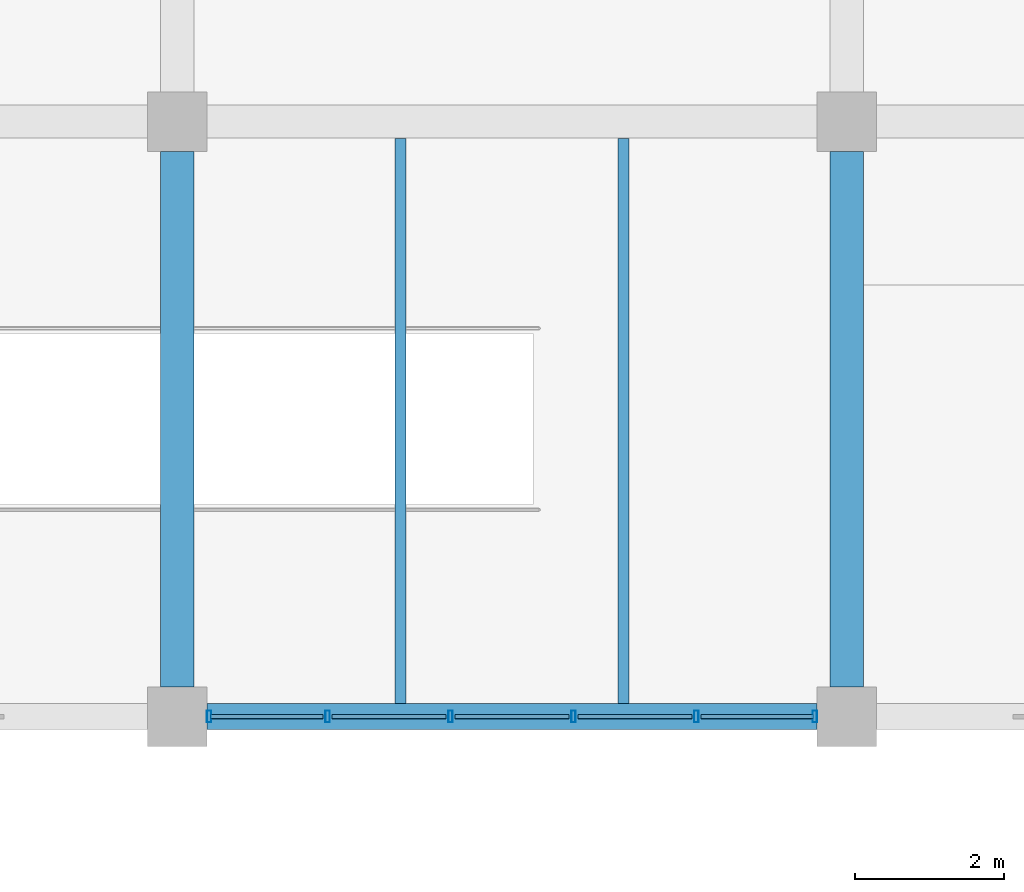
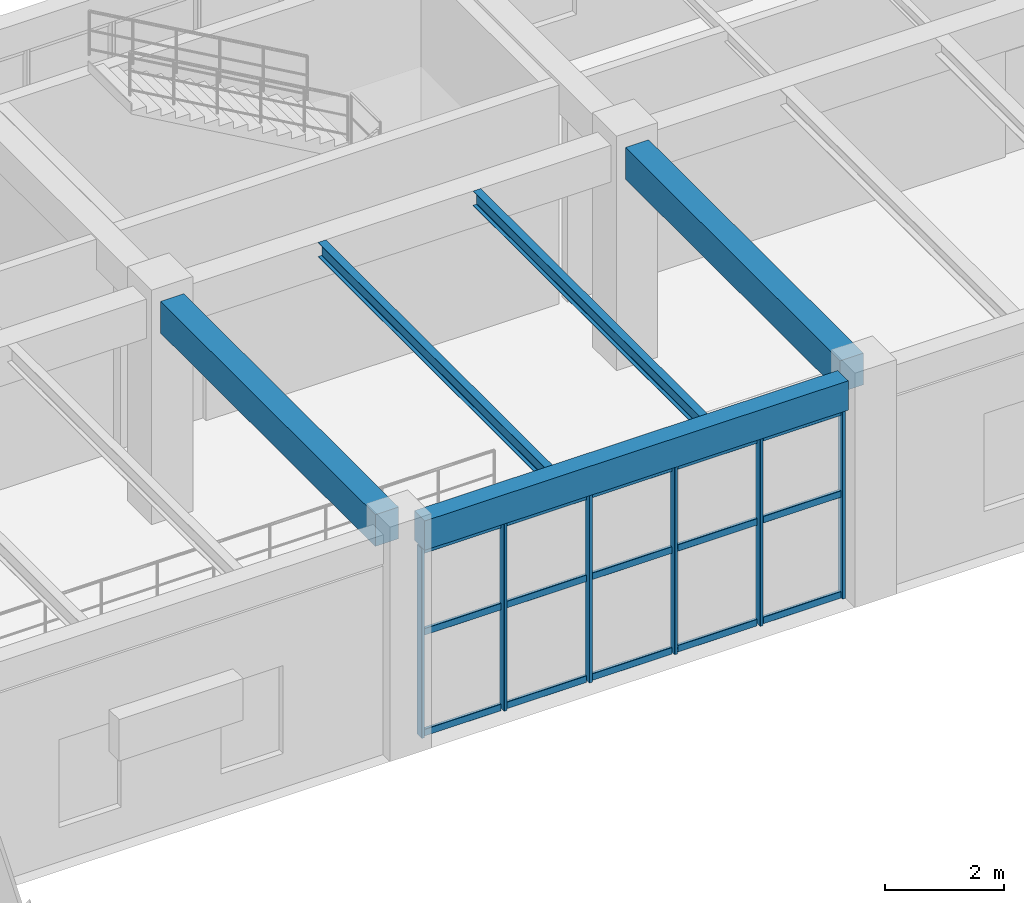
# One storey, part 104 of 178: 21 members, 5 beams, 1 element without a shape of its own.
"""IFC4 building model written with IfcOpenShell, lengths in metres."""

from ifc_helpers import new_model, si_unit, derived_unit, direction, frame, origin, origin_2d, place, context, subcontext, project, spatial, rectangle, hollow_rectangle, i_section, extrude, material, material_profile, profile_set, type_object, element, aggregate, save


model = new_model("IFC4")

# Units and contexts
model_context = context("Model", 3, precision=1e-05, world=origin(), true_north=direction((0.0, 1.0)))
body_context = subcontext(model_context, "Body", "Model", "MODEL_VIEW")
ifc_project = project(units=[si_unit("LENGTHUNIT", "METRE"), si_unit("AREAUNIT", "SQUARE_METRE"), si_unit("VOLUMEUNIT", "CUBIC_METRE"), si_unit("PLANEANGLEUNIT", "RADIAN"), si_unit("MASSUNIT", "GRAM", prefix="KILO"), derived_unit("THERMALTRANSMITTANCEUNIT", [(si_unit("MASSUNIT", "GRAM", prefix="KILO"), 1), (si_unit("TIMEUNIT", "SECOND"), -3), (si_unit("THERMODYNAMICTEMPERATUREUNIT", "KELVIN"), -1)])], contexts=[model_context])

# Site, building, storey
site_placement = place(None, origin())
site = spatial("IfcSite", under=ifc_project, at=site_placement, CompositionType="ELEMENT")
building_placement = place(site_placement, origin())
building = spatial("IfcBuilding", under=site, at=building_placement, Name="Zhenchuan Archway Interchange", CompositionType="ELEMENT")
storey_placement = place(building_placement, frame((0.0, 0.0, 5.39990234375)))
storey = spatial("IfcBuildingStorey", under=building, at=storey_placement, Name="L01", CompositionType="ELEMENT", Elevation=5.39990234375)

# Beams
ifc_material_1 = material(Name="Concrete C40", Category="concrete")
ifc_material_profile_1 = material_profile(ifc_material_1, rectangle(XDim=0.449951171875, YDim=0.64990234375, at=origin_2d()), Name="RC 450x650")
ifc_profile_set_1 = profile_set([ifc_material_profile_1], Name="Concrete C40")
beam_type_1 = type_object("IfcBeamType", Name="BM_RC_450x650", PredefinedType="BEAM", material=ifc_profile_set_1)
for number, where, z_axis, x_axis, name in (
    (1, (117.0, 88.39990234375, 4.18505859375), (0.0, 1.0, 0.0), (-1.0, 0.0, 0.0), "Beam 14:M-N (L01)"),
    (2, (126.0, 88.39990234375, 4.18505859375), (0.0, 1.0, 0.0), (-1.0, 0.0, 0.0), "Beam 15:M-N (L01)"),
):
    element("IfcBeam", number, at=place(storey_placement, frame(where, z_axis=z_axis, x_axis=x_axis)), inside=storey, type_object=beam_type_1, Name=name, PredefinedType="BEAM", context=body_context, shape_type="SweptSolid", body=[
        extrude(rectangle(XDim=0.449951171875, YDim=0.64990234375, at=origin_2d()), origin(), (0.0, 0.0, 1.0), 7.2001953125),
    ])

# Curtain wall, members
ifc_material_2 = material(Name="Anodised Aluminium", Category="aluminium")
curtain_wall_type = type_object("IfcCurtainWallType", Name="CW_UNIT_2", PredefinedType="NOTDEFINED", material=ifc_material_2)
curtain_wall_placement = place(storey_placement, origin())
curtain_wall = element("IfcCurtainWall", 3, at=curtain_wall_placement, inside=storey, type_object=curtain_wall_type, Name="Unitised curtain wall CW:L01:097", PredefinedType="NOTDEFINED")
ifc_material_profile_2 = material_profile(ifc_material_2, hollow_rectangle(XDim=0.06005859375, YDim=0.159912109375, WallThickness=0.00390625, InnerFilletRadius=0.00390625, OuterFilletRadius=0.008056640625, at=origin_2d()), Name="ALU 160x60x4")
ifc_profile_set_2 = profile_set([ifc_material_profile_2], Name="Anodised Aluminium")
member_type_1 = type_object("IfcMemberType", Name="CW_MUL_150", PredefinedType="MULLION", material=ifc_profile_set_2)
member_1_placement = place(storey_placement, frame((125.572021484375, 88.0, 0.0), z_axis=(0.0, 0.0, 1.0), x_axis=(1.0, 0.0, 0.0)))
member_1 = element("IfcMember", 4, at=member_1_placement, type_object=member_type_1, Name="CW:L01:097 mullion 0", PredefinedType="MULLION", context=body_context, shape_type="SweptSolid", body=[
    extrude(hollow_rectangle(XDim=0.06005859375, YDim=0.159912109375, WallThickness=0.00390625, InnerFilletRadius=0.00390625, OuterFilletRadius=0.008056640625, at=origin_2d()), origin(), (0.0, 0.0, 1.0), 3.880126953125),
])
member_2_placement = place(storey_placement, frame((123.979248046875, 88.0, 0.0), z_axis=(0.0, 0.0, 1.0), x_axis=(1.0, 0.0, 0.0)))
member_2 = element("IfcMember", 5, at=member_2_placement, type_object=member_type_1, Name="CW:L01:097 mullion 1", PredefinedType="MULLION", context=body_context, shape_type="SweptSolid", body=[
    extrude(hollow_rectangle(XDim=0.06005859375, YDim=0.159912109375, WallThickness=0.00390625, InnerFilletRadius=0.00390625, OuterFilletRadius=0.008056640625, at=origin_2d()), origin(), (0.0, 0.0, 1.0), 3.880126953125),
])
member_3_placement = place(storey_placement, frame((122.326416015625, 88.0, 0.0), z_axis=(0.0, 0.0, 1.0), x_axis=(1.0, 0.0, 0.0)))
member_3 = element("IfcMember", 6, at=member_3_placement, type_object=member_type_1, Name="CW:L01:097 mullion 2", PredefinedType="MULLION", context=body_context, shape_type="SweptSolid", body=[
    extrude(hollow_rectangle(XDim=0.06005859375, YDim=0.159912109375, WallThickness=0.00390625, InnerFilletRadius=0.00390625, OuterFilletRadius=0.008056640625, at=origin_2d()), origin(), (0.0, 0.0, 1.0), 3.880126953125),
])
member_4_placement = place(storey_placement, frame((120.673583984375, 88.0, 0.0), z_axis=(0.0, 0.0, 1.0), x_axis=(1.0, 0.0, 0.0)))
member_4 = element("IfcMember", 7, at=member_4_placement, type_object=member_type_1, Name="CW:L01:097 mullion 3", PredefinedType="MULLION", context=body_context, shape_type="SweptSolid", body=[
    extrude(hollow_rectangle(XDim=0.06005859375, YDim=0.159912109375, WallThickness=0.00390625, InnerFilletRadius=0.00390625, OuterFilletRadius=0.008056640625, at=origin_2d()), origin(), (0.0, 0.0, 1.0), 3.880126953125),
])
member_5_placement = place(storey_placement, frame((119.020751953125, 88.0, 0.0), z_axis=(0.0, 0.0, 1.0), x_axis=(1.0, 0.0, 0.0)))
member_5 = element("IfcMember", 8, at=member_5_placement, type_object=member_type_1, Name="CW:L01:097 mullion 4", PredefinedType="MULLION", context=body_context, shape_type="SweptSolid", body=[
    extrude(hollow_rectangle(XDim=0.06005859375, YDim=0.159912109375, WallThickness=0.00390625, InnerFilletRadius=0.00390625, OuterFilletRadius=0.008056640625, at=origin_2d()), origin(), (0.0, 0.0, 1.0), 3.880126953125),
])
member_6_placement = place(storey_placement, frame((117.427978515625, 88.0, 0.0), z_axis=(0.0, 0.0, 1.0), x_axis=(1.0, 0.0, 0.0)))
member_6 = element("IfcMember", 9, at=member_6_placement, type_object=member_type_1, Name="CW:L01:097 mullion 5", PredefinedType="MULLION", context=body_context, shape_type="SweptSolid", body=[
    extrude(hollow_rectangle(XDim=0.06005859375, YDim=0.159912109375, WallThickness=0.00390625, InnerFilletRadius=0.00390625, OuterFilletRadius=0.008056640625, at=origin_2d()), origin(), (0.0, 0.0, 1.0), 3.880126953125),
])
ifc_material_profile_3 = material_profile(ifc_material_2, hollow_rectangle(XDim=0.06005859375, YDim=0.139892578125, WallThickness=0.00341796875, InnerFilletRadius=0.00341796875, OuterFilletRadius=0.007080078125, at=origin_2d()), Name="ALU 140x60x3.5")
ifc_profile_set_3 = profile_set([ifc_material_profile_3], Name="Anodised Aluminium")
member_type_2 = type_object("IfcMemberType", Name="CW_TRN_140", PredefinedType="USERDEFINED", material=ifc_profile_set_3)
member_7_placement = place(storey_placement, frame((125.552001953125, 88.0, 0.06005859375), z_axis=(-1.0, 0.0, 0.0), x_axis=(0.0, -1.0, 0.0)))
member_7 = element("IfcMember", 10, at=member_7_placement, type_object=member_type_2, Name="CW:L01:097 transom 0-1", ObjectType="TRANSOM", PredefinedType="USERDEFINED", context=body_context, shape_type="SweptSolid", body=[
    extrude(hollow_rectangle(XDim=0.06005859375, YDim=0.139892578125, WallThickness=0.00341796875, InnerFilletRadius=0.00341796875, OuterFilletRadius=0.007080078125, at=origin_2d()), origin(), (0.0, 0.0, 1.0), 1.5126953125),
])
member_8_placement = place(storey_placement, frame((125.552001953125, 88.0, 2.123046875), z_axis=(-1.0, 0.0, 0.0), x_axis=(0.0, -1.0, 0.0)))
member_8 = element("IfcMember", 11, at=member_8_placement, type_object=member_type_2, Name="CW:L01:097 transom 0-2", ObjectType="TRANSOM", PredefinedType="USERDEFINED", context=body_context, shape_type="SweptSolid", body=[
    extrude(hollow_rectangle(XDim=0.06005859375, YDim=0.139892578125, WallThickness=0.00341796875, InnerFilletRadius=0.00341796875, OuterFilletRadius=0.007080078125, at=origin_2d()), origin(), (0.0, 0.0, 1.0), 1.5126953125),
])
member_9_placement = place(storey_placement, frame((125.552001953125, 88.0, 3.800048828125), z_axis=(-1.0, 0.0, 0.0), x_axis=(0.0, -1.0, 0.0)))
member_9 = element("IfcMember", 12, at=member_9_placement, type_object=member_type_2, Name="CW:L01:097 transom 0-3", ObjectType="TRANSOM", PredefinedType="USERDEFINED", context=body_context, shape_type="SweptSolid", body=[
    extrude(hollow_rectangle(XDim=0.06005859375, YDim=0.139892578125, WallThickness=0.00341796875, InnerFilletRadius=0.00341796875, OuterFilletRadius=0.007080078125, at=origin_2d()), origin(), (0.0, 0.0, 1.0), 1.5126953125),
])
member_10_placement = place(storey_placement, frame((123.919189453125, 88.0, 0.06005859375), z_axis=(-1.0, 0.0, 0.0), x_axis=(0.0, -1.0, 0.0)))
member_10 = element("IfcMember", 13, at=member_10_placement, type_object=member_type_2, Name="CW:L01:097 transom 1-1", ObjectType="TRANSOM", PredefinedType="USERDEFINED", context=body_context, shape_type="SweptSolid", body=[
    extrude(hollow_rectangle(XDim=0.06005859375, YDim=0.139892578125, WallThickness=0.00341796875, InnerFilletRadius=0.00341796875, OuterFilletRadius=0.007080078125, at=origin_2d()), origin(), (0.0, 0.0, 1.0), 1.53271484375),
])
member_11_placement = place(storey_placement, frame((123.919189453125, 88.0, 2.123046875), z_axis=(-1.0, 0.0, 0.0), x_axis=(0.0, -1.0, 0.0)))
member_11 = element("IfcMember", 14, at=member_11_placement, type_object=member_type_2, Name="CW:L01:097 transom 1-2", ObjectType="TRANSOM", PredefinedType="USERDEFINED", context=body_context, shape_type="SweptSolid", body=[
    extrude(hollow_rectangle(XDim=0.06005859375, YDim=0.139892578125, WallThickness=0.00341796875, InnerFilletRadius=0.00341796875, OuterFilletRadius=0.007080078125, at=origin_2d()), origin(), (0.0, 0.0, 1.0), 1.53271484375),
])
member_12_placement = place(storey_placement, frame((123.919189453125, 88.0, 3.800048828125), z_axis=(-1.0, 0.0, 0.0), x_axis=(0.0, -1.0, 0.0)))
member_12 = element("IfcMember", 15, at=member_12_placement, type_object=member_type_2, Name="CW:L01:097 transom 1-3", ObjectType="TRANSOM", PredefinedType="USERDEFINED", context=body_context, shape_type="SweptSolid", body=[
    extrude(hollow_rectangle(XDim=0.06005859375, YDim=0.139892578125, WallThickness=0.00341796875, InnerFilletRadius=0.00341796875, OuterFilletRadius=0.007080078125, at=origin_2d()), origin(), (0.0, 0.0, 1.0), 1.53271484375),
])
member_13_placement = place(storey_placement, frame((122.266357421875, 88.0, 0.06005859375), z_axis=(-1.0, 0.0, 0.0), x_axis=(0.0, -1.0, 0.0)))
member_13 = element("IfcMember", 16, at=member_13_placement, type_object=member_type_2, Name="CW:L01:097 transom 2-1", ObjectType="TRANSOM", PredefinedType="USERDEFINED", context=body_context, shape_type="SweptSolid", body=[
    extrude(hollow_rectangle(XDim=0.06005859375, YDim=0.139892578125, WallThickness=0.00341796875, InnerFilletRadius=0.00341796875, OuterFilletRadius=0.007080078125, at=origin_2d()), origin(), (0.0, 0.0, 1.0), 1.53271484375),
])
member_14_placement = place(storey_placement, frame((122.266357421875, 88.0, 2.123046875), z_axis=(-1.0, 0.0, 0.0), x_axis=(0.0, -1.0, 0.0)))
member_14 = element("IfcMember", 17, at=member_14_placement, type_object=member_type_2, Name="CW:L01:097 transom 2-2", ObjectType="TRANSOM", PredefinedType="USERDEFINED", context=body_context, shape_type="SweptSolid", body=[
    extrude(hollow_rectangle(XDim=0.06005859375, YDim=0.139892578125, WallThickness=0.00341796875, InnerFilletRadius=0.00341796875, OuterFilletRadius=0.007080078125, at=origin_2d()), origin(), (0.0, 0.0, 1.0), 1.53271484375),
])
member_15_placement = place(storey_placement, frame((122.266357421875, 88.0, 3.800048828125), z_axis=(-1.0, 0.0, 0.0), x_axis=(0.0, -1.0, 0.0)))
member_15 = element("IfcMember", 18, at=member_15_placement, type_object=member_type_2, Name="CW:L01:097 transom 2-3", ObjectType="TRANSOM", PredefinedType="USERDEFINED", context=body_context, shape_type="SweptSolid", body=[
    extrude(hollow_rectangle(XDim=0.06005859375, YDim=0.139892578125, WallThickness=0.00341796875, InnerFilletRadius=0.00341796875, OuterFilletRadius=0.007080078125, at=origin_2d()), origin(), (0.0, 0.0, 1.0), 1.53271484375),
])
member_16_placement = place(storey_placement, frame((120.613525390625, 88.0, 0.06005859375), z_axis=(-1.0, 0.0, 0.0), x_axis=(0.0, -1.0, 0.0)))
member_16 = element("IfcMember", 19, at=member_16_placement, type_object=member_type_2, Name="CW:L01:097 transom 3-1", ObjectType="TRANSOM", PredefinedType="USERDEFINED", context=body_context, shape_type="SweptSolid", body=[
    extrude(hollow_rectangle(XDim=0.06005859375, YDim=0.139892578125, WallThickness=0.00341796875, InnerFilletRadius=0.00341796875, OuterFilletRadius=0.007080078125, at=origin_2d()), origin(), (0.0, 0.0, 1.0), 1.53271484375),
])
member_17_placement = place(storey_placement, frame((120.613525390625, 88.0, 2.123046875), z_axis=(-1.0, 0.0, 0.0), x_axis=(0.0, -1.0, 0.0)))
member_17 = element("IfcMember", 20, at=member_17_placement, type_object=member_type_2, Name="CW:L01:097 transom 3-2", ObjectType="TRANSOM", PredefinedType="USERDEFINED", context=body_context, shape_type="SweptSolid", body=[
    extrude(hollow_rectangle(XDim=0.06005859375, YDim=0.139892578125, WallThickness=0.00341796875, InnerFilletRadius=0.00341796875, OuterFilletRadius=0.007080078125, at=origin_2d()), origin(), (0.0, 0.0, 1.0), 1.53271484375),
])
member_18_placement = place(storey_placement, frame((120.613525390625, 88.0, 3.800048828125), z_axis=(-1.0, 0.0, 0.0), x_axis=(0.0, -1.0, 0.0)))
member_18 = element("IfcMember", 21, at=member_18_placement, type_object=member_type_2, Name="CW:L01:097 transom 3-3", ObjectType="TRANSOM", PredefinedType="USERDEFINED", context=body_context, shape_type="SweptSolid", body=[
    extrude(hollow_rectangle(XDim=0.06005859375, YDim=0.139892578125, WallThickness=0.00341796875, InnerFilletRadius=0.00341796875, OuterFilletRadius=0.007080078125, at=origin_2d()), origin(), (0.0, 0.0, 1.0), 1.53271484375),
])
member_19_placement = place(storey_placement, frame((118.960693359375, 88.0, 0.06005859375), z_axis=(-1.0, 0.0, 0.0), x_axis=(0.0, -1.0, 0.0)))
member_19 = element("IfcMember", 22, at=member_19_placement, type_object=member_type_2, Name="CW:L01:097 transom 4-1", ObjectType="TRANSOM", PredefinedType="USERDEFINED", context=body_context, shape_type="SweptSolid", body=[
    extrude(hollow_rectangle(XDim=0.06005859375, YDim=0.139892578125, WallThickness=0.00341796875, InnerFilletRadius=0.00341796875, OuterFilletRadius=0.007080078125, at=origin_2d()), origin(), (0.0, 0.0, 1.0), 1.5126953125),
])
member_20_placement = place(storey_placement, frame((118.960693359375, 88.0, 2.123046875), z_axis=(-1.0, 0.0, 0.0), x_axis=(0.0, -1.0, 0.0)))
member_20 = element("IfcMember", 23, at=member_20_placement, type_object=member_type_2, Name="CW:L01:097 transom 4-2", ObjectType="TRANSOM", PredefinedType="USERDEFINED", context=body_context, shape_type="SweptSolid", body=[
    extrude(hollow_rectangle(XDim=0.06005859375, YDim=0.139892578125, WallThickness=0.00341796875, InnerFilletRadius=0.00341796875, OuterFilletRadius=0.007080078125, at=origin_2d()), origin(), (0.0, 0.0, 1.0), 1.5126953125),
])
member_21_placement = place(storey_placement, frame((118.960693359375, 88.0, 3.800048828125), z_axis=(-1.0, 0.0, 0.0), x_axis=(0.0, -1.0, 0.0)))
member_21 = element("IfcMember", 24, at=member_21_placement, type_object=member_type_2, Name="CW:L01:097 transom 4-3", ObjectType="TRANSOM", PredefinedType="USERDEFINED", context=body_context, shape_type="SweptSolid", body=[
    extrude(hollow_rectangle(XDim=0.06005859375, YDim=0.139892578125, WallThickness=0.00341796875, InnerFilletRadius=0.00341796875, OuterFilletRadius=0.007080078125, at=origin_2d()), origin(), (0.0, 0.0, 1.0), 1.5126953125),
])
aggregate(curtain_wall, [member_1, member_2, member_3, member_4, member_5, member_6, member_7, member_8, member_9, member_10, member_11, member_12, member_13, member_14, member_15, member_16, member_17, member_18, member_19, member_20, member_21])

# Beams
ifc_material_3 = material(Name="Steel Q355", Category="steel")
ifc_material_profile_4 = material_profile(ifc_material_3, i_section(OverallWidth=0.14990234375, OverallDepth=0.300048828125, WebThickness=0.006591796875, FlangeThickness=0.009033203125, FilletRadius=0.012939453125, at=origin_2d()), Name="HN 300x150")
ifc_profile_set_4 = profile_set([ifc_material_profile_4], Name="Steel Q355")
beam_type_2 = type_object("IfcBeamType", Name="JST_STL_HN300", PredefinedType="JOIST", material=ifc_profile_set_4)
for number, where, z_axis, x_axis, name in (
    (25, (120.0, 88.175048828125, 4.360107421875), (0.0, 1.0, 0.0), (-1.0, 0.0, 0.0), "Secondary joist 14-15/M-N #1 (L01)"),
    (26, (123.0, 88.175048828125, 4.360107421875), (0.0, 1.0, 0.0), (-1.0, 0.0, 0.0), "Secondary joist 14-15/M-N #2 (L01)"),
):
    element("IfcBeam", number, at=place(storey_placement, frame(where, z_axis=z_axis, x_axis=x_axis)), inside=storey, type_object=beam_type_2, Name=name, PredefinedType="JOIST", context=body_context, shape_type="SweptSolid", body=[
        extrude(i_section(OverallWidth=0.14990234375, OverallDepth=0.300048828125, WebThickness=0.006591796875, FlangeThickness=0.009033203125, FilletRadius=0.012939453125, at=origin_2d()), origin(), (0.0, 0.0, 1.0), 7.599853515625),
    ])
ifc_material_profile_5 = material_profile(ifc_material_1, rectangle(XDim=0.35009765625, YDim=0.60009765625, at=origin_2d()), Name="RC 350x600")
ifc_profile_set_5 = profile_set([ifc_material_profile_5], Name="Concrete C40")
beam_type_3 = type_object("IfcBeamType", Name="SP_RC_350x600", PredefinedType="SPANDREL", material=ifc_profile_set_5)
beam_placement = place(storey_placement, frame((117.39990234375, 88.0, 4.210205078125), z_axis=(1.0, 0.0, 0.0), x_axis=(0.0, 1.0, 0.0)))
element("IfcBeam", 27, at=beam_placement, inside=storey, type_object=beam_type_3, Name="Beam M:14-15 (L01)", PredefinedType="SPANDREL", context=body_context, shape_type="SweptSolid", body=[
    extrude(rectangle(XDim=0.35009765625, YDim=0.60009765625, at=origin_2d()), origin(), (0.0, 0.0, 1.0), 8.2001953125),
])

save(model, "model.ifc")
